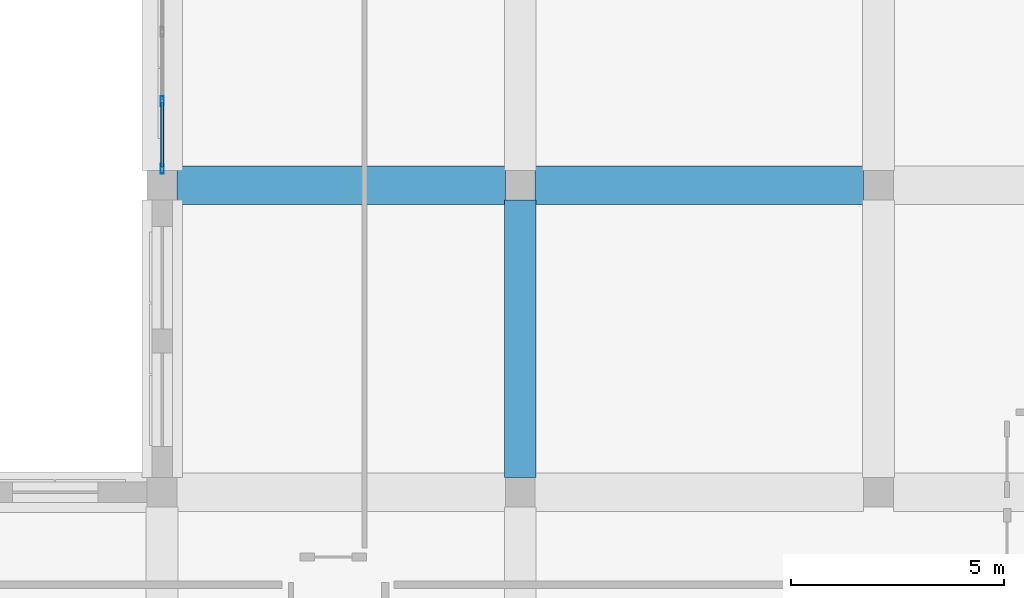
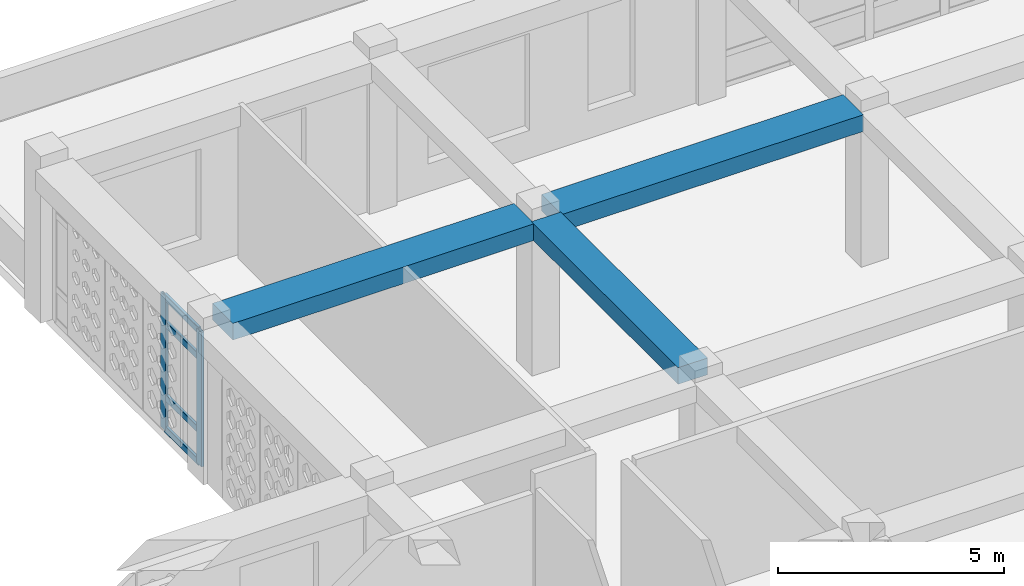
# One storey, part 29 of 100: 6 members, 3 beams, 1 element without a shape of its own.
"""IFC4 building model written with IfcOpenShell, lengths in metres."""

import ifcopenshell
import ifcopenshell.guid

model = None  # the IFC model being written
_history = None  # IfcOwnerHistory: only IFC2X3 demands one
_inside = {}  # id of a spatial element -> (the spatial element, [elements in it])
_under = {}  # id of a project, library or spatial element -> (it, [spatial elements below it])
_declared = {}  # id of a project -> (the project, [libraries it declares])
_typed = {}  # id of a type object -> (the type object, [elements of that type])
_made_of = {}  # id of a material, layer set ... -> (it, [elements and type objects made of it])


def new_model(schema):
    """Start an empty IFC model of exactly this schema.

    Asked for "IFC4X3", IfcOpenShell would pick the latest addendum, in which some entities
    have other attributes; the version numbers below select the first issue.
    IFC2X3 requires an IfcOwnerHistory on every rooted entity: one is made here for all.
    """
    global model, _history
    if schema == "IFC4X3":
        model = ifcopenshell.file(schema_version=(4, 3, 0, 0))
    else:
        model = ifcopenshell.file(schema=schema)
    _inside.clear()
    _under.clear()
    _declared.clear()
    _typed.clear()
    _made_of.clear()
    _history = None
    if model.schema == "IFC2X3":
        org = make("IfcOrganization", Name="unknown")
        user = make(
            "IfcPersonAndOrganization",
            ThePerson=make("IfcPerson", FamilyName="unknown"),
            TheOrganization=org,
        )
        app = make(
            "IfcApplication",
            ApplicationDeveloper=org,
            Version="unknown",
            ApplicationFullName="unknown",
            ApplicationIdentifier="unknown",
        )
        _history = make(
            "IfcOwnerHistory",
            OwningUser=user,
            OwningApplication=app,
            ChangeAction="ADDED",
            CreationDate=0,
        )
    return model


def make(cls, **values):
    """One entity of the class cls with the attributes given. An attribute that is None is left unset."""
    return model.create_entity(
        cls, **{name: value for name, value in values.items() if value is not None}
    )


def rooted(cls, **values):
    """An entity with a GlobalId (a new one), such as an element, a storey or a relation."""
    return make(cls, GlobalId=ifcopenshell.guid.new(), OwnerHistory=_history, **values)


def si_unit(unit_type, name, prefix=None):
    """IfcSIUnit, for example si_unit("LENGTHUNIT", "METRE", prefix="MILLI")."""
    return make("IfcSIUnit", UnitType=unit_type, Prefix=prefix, Name=name)


def derived_unit(unit_type, elements):
    """IfcDerivedUnit: a product of units, each with its exponent."""
    return make(
        "IfcDerivedUnit",
        Elements=[
            make("IfcDerivedUnitElement", Unit=unit, Exponent=power)
            for unit, power in elements
        ],
        UnitType=unit_type,
    )


def assignment(units):
    """IfcUnitAssignment: the units of a project."""
    return None if units is None else make("IfcUnitAssignment", Units=units)


def point(xyz):
    """IfcCartesianPoint."""
    return None if xyz is None else make("IfcCartesianPoint", Coordinates=xyz)


def direction(xyz):
    """IfcDirection."""
    return None if xyz is None else make("IfcDirection", DirectionRatios=xyz)


def frame(location, z_axis=None, x_axis=None):
    """IfcAxis2Placement3D, a coordinate frame: its origin and axes. An axis left out is left unset."""
    return make(
        "IfcAxis2Placement3D",
        Location=point(location),
        Axis=direction(z_axis),
        RefDirection=direction(x_axis),
    )


def frame_2d(location, x_axis=None):
    """IfcAxis2Placement2D, a coordinate frame in the plane: its origin and x axis."""
    return make(
        "IfcAxis2Placement2D", Location=point(location), RefDirection=direction(x_axis)
    )


def origin():
    """The frame at (0, 0, 0) with its axes left unset."""
    return frame((0.0, 0.0, 0.0))


def origin_2d():
    """The frame at (0, 0) in the plane with its x axis left unset."""
    return frame_2d((0.0, 0.0))


def place(relative_to, where):
    """IfcLocalPlacement: puts the frame where relative to a parent placement (None: the world)."""
    return make(
        "IfcLocalPlacement", PlacementRelTo=relative_to, RelativePlacement=where
    )


def context(
    kind, dimensions, precision=None, world=None, true_north=None, identifier=None
):
    """IfcGeometricRepresentationContext, for example the 3D "Model" context."""
    return make(
        "IfcGeometricRepresentationContext",
        ContextIdentifier=identifier,
        ContextType=kind,
        CoordinateSpaceDimension=dimensions,
        Precision=precision,
        WorldCoordinateSystem=world,
        TrueNorth=true_north,
    )


def subcontext(parent, identifier, kind, view, scale=None):
    """IfcGeometricRepresentationSubContext, for example "Body" below "Model"."""
    return make(
        "IfcGeometricRepresentationSubContext",
        ContextIdentifier=identifier,
        ContextType=kind,
        ParentContext=parent,
        TargetScale=scale,
        TargetView=view,
    )


def project(units=None, contexts=None):
    """IfcProject with its units and contexts."""
    return rooted(
        "IfcProject",
        Name="project",
        RepresentationContexts=contexts,
        UnitsInContext=assignment(units),
    )


def spatial(cls, under=None, at=None, **own):
    """A site, building, storey or space (cls), placed at a placement, below another one or the project."""
    s = rooted(cls, ObjectPlacement=at, **own)
    if under is not None:
        _under.setdefault(under.id(), (under, []))[1].append(s)
    return s


def profile(cls, at=None, kind="AREA", **sizes):
    """A parametric profile (cls). Its sizes go by their IFC names, for example OverallWidth=200.0."""
    return make(cls, ProfileType=kind, Position=at, **sizes)


def rectangle(**sizes):
    """IfcRectangleProfileDef."""
    return profile("IfcRectangleProfileDef", **sizes)


def hollow_rectangle(**sizes):
    """IfcRectangleHollowProfileDef."""
    return profile("IfcRectangleHollowProfileDef", **sizes)


def extrude(swept, where, along, depth):
    """IfcExtrudedAreaSolid: the profile swept, set in the frame where, extruded along a direction by depth."""
    return make(
        "IfcExtrudedAreaSolid",
        SweptArea=swept,
        Position=where,
        ExtrudedDirection=direction(along),
        Depth=depth,
    )


def shape(context_of_items, identifier, shape_type, items):
    """IfcShapeRepresentation: the items that make up one representation, for example the "Body"."""
    return make(
        "IfcShapeRepresentation",
        ContextOfItems=context_of_items,
        RepresentationIdentifier=identifier,
        RepresentationType=shape_type,
        Items=items,
    )


def material(Name=None, Category=None):
    """IfcMaterial."""
    return make("IfcMaterial", Name=Name, Category=Category)


def material_profile(
    of_material, cross_section, Name=None, Category=None, Priority=None
):
    """IfcMaterialProfile: a cross section and its material."""
    return make(
        "IfcMaterialProfile",
        Name=Name,
        Material=of_material,
        Profile=cross_section,
        Priority=Priority,
        Category=Category,
    )


def profile_set(profiles, Name=None, composite=None):
    """IfcMaterialProfileSet."""
    return make(
        "IfcMaterialProfileSet",
        Name=Name,
        MaterialProfiles=profiles,
        CompositeProfile=composite,
    )


def made_of(thing, what):
    """Note that an element or type object is made of a material, layer set ...; save() writes the relation."""
    if what is not None:
        _made_of.setdefault(what.id(), (what, []))[1].append(thing)
    return thing


def type_object(cls, material=None, **own):
    """A type object (cls), such as IfcWallType, which elements share."""
    return made_of(rooted(cls, **own), material)


def element(
    cls,
    number,
    at=None,
    inside=None,
    cuts=None,
    type_object=None,
    material=None,
    context=None,
    identifier="Body",
    shape_type=None,
    held_by="IfcProductDefinitionShape",
    body=None,
    shapes=None,
    **own,
):
    """One element of the class cls, such as IfcWall. Its Tag is "e" and its number.

    at: its placement. inside: the storey or other place that contains it. cuts: it is an
    opening in that element (IfcRelVoidsElement). A single representation is given by context,
    identifier, shape_type and body (its items); several are given by shapes. held_by: the class
    of the entity that holds the representations. save() writes the other relations.
    """
    e = rooted(cls, Tag="e%d" % number, ObjectPlacement=at, **own)
    if body is not None:
        shapes = [shape(context, identifier, shape_type, body)]
    if shapes is not None:
        e.Representation = make(held_by, Representations=shapes)
    if inside is not None:
        _inside.setdefault(inside.id(), (inside, []))[1].append(e)
    if cuts is not None:
        rooted(
            "IfcRelVoidsElement", RelatingBuildingElement=cuts, RelatedOpeningElement=e
        )
    if type_object is not None:
        _typed.setdefault(type_object.id(), (type_object, []))[1].append(e)
    return made_of(e, material)


def aggregate(whole, parts):
    """IfcRelAggregates: a whole, such as a stair, and the parts it consists of."""
    return rooted("IfcRelAggregates", RelatingObject=whole, RelatedObjects=parts)


def save(model, path):
    """Write the relations noted so far, then the file.

    IfcRelAggregates (storeys below a building ...), IfcRelContainedInSpatialStructure (elements
    in a storey), IfcRelDefinesByType, IfcRelAssociatesMaterial and IfcRelDeclares: one each for
    every whole, place, type object, material and project.
    """
    for whole, parts in _under.values():
        aggregate(whole, parts)
    for where, things in _inside.values():
        rooted(
            "IfcRelContainedInSpatialStructure",
            RelatedElements=things,
            RelatingStructure=where,
        )
    for kind, things in _typed.values():
        rooted("IfcRelDefinesByType", RelatedObjects=things, RelatingType=kind)
    for what, things in _made_of.values():
        rooted("IfcRelAssociatesMaterial", RelatedObjects=things, RelatingMaterial=what)
    for by, libraries in _declared.values():
        rooted("IfcRelDeclares", RelatingContext=by, RelatedDefinitions=libraries)
    model.write(path)


model = new_model("IFC4")

# Units and contexts
model_context = context("Model", 3, precision=1e-05, world=origin(), true_north=direction((0.0, 1.0)))
body_context = subcontext(model_context, "Body", "Model", "MODEL_VIEW")
ifc_project = project(units=[si_unit("LENGTHUNIT", "METRE"), si_unit("AREAUNIT", "SQUARE_METRE"), si_unit("VOLUMEUNIT", "CUBIC_METRE"), si_unit("PLANEANGLEUNIT", "RADIAN"), si_unit("MASSUNIT", "GRAM", prefix="KILO"), derived_unit("THERMALTRANSMITTANCEUNIT", [(si_unit("POWERUNIT", "WATT"), 1), (si_unit("LENGTHUNIT", "METRE"), -2), (si_unit("THERMODYNAMICTEMPERATUREUNIT", "KELVIN"), -1)])], contexts=[model_context])

# Site, building, storey
site_placement = place(None, origin())
site = spatial("IfcSite", under=ifc_project, at=site_placement, CompositionType="ELEMENT")
building_placement = place(site_placement, origin())
building = spatial("IfcBuilding", under=site, at=building_placement, Name="Veybourne Emporium", CompositionType="ELEMENT")
storey_placement = place(building_placement, frame((0.0, 0.0, 14.39990234375)))
storey = spatial("IfcBuildingStorey", under=building, at=storey_placement, Name="L03", CompositionType="ELEMENT", Elevation=14.39990234375)

# Curtain wall, members
ifc_material_1 = material(Name="Patinated Architectural Bronze", Category="bronze")
curtain_wall_type = type_object("IfcCurtainWallType", Name="CWSystem_CWS-14", PredefinedType="NOTDEFINED", material=ifc_material_1)
curtain_wall_placement = place(storey_placement, origin())
curtain_wall = element("IfcCurtainWall", 1, at=curtain_wall_placement, inside=storey, type_object=curtain_wall_type, Name="L03 bronze glazed curtain wall CWS-14 (024)", PredefinedType="NOTDEFINED")
ifc_material_profile_1 = material_profile(ifc_material_1, hollow_rectangle(XDim=0.074951171875, YDim=0.22998046875, WallThickness=0.0048828125, InnerFilletRadius=0.007568359375, OuterFilletRadius=0.012451171875, at=origin_2d()), Name="CWM 75x230x5")
ifc_profile_set_1 = profile_set([ifc_material_profile_1], Name="Patinated Architectural Bronze")
member_type_1 = type_object("IfcMemberType", Name="CWMullion_CW-M2", PredefinedType="MULLION", material=ifc_profile_set_1)
member_1_placement = place(storey_placement, frame((33.60009765625, 93.987548828125, 0.0), z_axis=(0.0, 0.0, 1.0), x_axis=(-1.0, 0.0, 0.0)))
member_1 = element("IfcMember", 2, at=member_1_placement, type_object=member_type_1, Name="CWS-14 mullion 1", PredefinedType="MULLION", context=body_context, shape_type="SweptSolid", body=[
    extrude(hollow_rectangle(XDim=0.074951171875, YDim=0.22998046875, WallThickness=0.0048828125, InnerFilletRadius=0.007568359375, OuterFilletRadius=0.012451171875, at=origin_2d()), origin(), (0.0, 0.0, 1.0), 3.630126953125),
])
member_2_placement = place(storey_placement, frame((33.60009765625, 95.574951171875, 0.0), z_axis=(0.0, 0.0, 1.0), x_axis=(-1.0, 0.0, 0.0)))
member_2 = element("IfcMember", 3, at=member_2_placement, type_object=member_type_1, Name="CWS-14 mullion 2", PredefinedType="MULLION", context=body_context, shape_type="SweptSolid", body=[
    extrude(hollow_rectangle(XDim=0.074951171875, YDim=0.22998046875, WallThickness=0.0048828125, InnerFilletRadius=0.007568359375, OuterFilletRadius=0.012451171875, at=origin_2d()), origin(), (0.0, 0.0, 1.0), 3.630126953125),
])
ifc_material_profile_2 = material_profile(ifc_material_1, hollow_rectangle(XDim=0.074951171875, YDim=0.179931640625, WallThickness=0.0048828125, InnerFilletRadius=0.007568359375, OuterFilletRadius=0.012451171875, at=origin_2d()), Name="CWT 75x180x5")
ifc_profile_set_2 = profile_set([ifc_material_profile_2], Name="Patinated Architectural Bronze")
member_type_2 = type_object("IfcMemberType", Name="CWTransom_CW-T2", PredefinedType="NOTDEFINED", material=ifc_profile_set_2)
member_3_placement = place(storey_placement, frame((33.60009765625, 94.02490234375, 0.03759765625), z_axis=(0.0, 1.0, 0.0), x_axis=(-1.0, 0.0, 0.0)))
member_3 = element("IfcMember", 4, at=member_3_placement, type_object=member_type_2, Name="CWS-14 transom 1.1", ObjectType="TRANSOM", PredefinedType="USERDEFINED", context=body_context, shape_type="SweptSolid", body=[
    extrude(hollow_rectangle(XDim=0.074951171875, YDim=0.179931640625, WallThickness=0.0048828125, InnerFilletRadius=0.007568359375, OuterFilletRadius=0.012451171875, at=origin_2d()), origin(), (0.0, 0.0, 1.0), 1.5126953125),
])
member_4_placement = place(storey_placement, frame((33.60009765625, 94.02490234375, 0.900146484375), z_axis=(0.0, 1.0, 0.0), x_axis=(-1.0, 0.0, 0.0)))
member_4 = element("IfcMember", 5, at=member_4_placement, type_object=member_type_2, Name="CWS-14 transom 1.2", ObjectType="TRANSOM", PredefinedType="USERDEFINED", context=body_context, shape_type="SweptSolid", body=[
    extrude(hollow_rectangle(XDim=0.074951171875, YDim=0.179931640625, WallThickness=0.0048828125, InnerFilletRadius=0.007568359375, OuterFilletRadius=0.012451171875, at=origin_2d()), origin(), (0.0, 0.0, 1.0), 1.5126953125),
])
member_5_placement = place(storey_placement, frame((33.60009765625, 94.02490234375, 2.880126953125), z_axis=(0.0, 1.0, 0.0), x_axis=(-1.0, 0.0, 0.0)))
member_5 = element("IfcMember", 6, at=member_5_placement, type_object=member_type_2, Name="CWS-14 transom 1.3", ObjectType="TRANSOM", PredefinedType="USERDEFINED", context=body_context, shape_type="SweptSolid", body=[
    extrude(hollow_rectangle(XDim=0.074951171875, YDim=0.179931640625, WallThickness=0.0048828125, InnerFilletRadius=0.007568359375, OuterFilletRadius=0.012451171875, at=origin_2d()), origin(), (0.0, 0.0, 1.0), 1.5126953125),
])
member_6_placement = place(storey_placement, frame((33.60009765625, 94.02490234375, 3.592529296875), z_axis=(0.0, 1.0, 0.0), x_axis=(-1.0, 0.0, 0.0)))
member_6 = element("IfcMember", 7, at=member_6_placement, type_object=member_type_2, Name="CWS-14 transom 1.4", ObjectType="TRANSOM", PredefinedType="USERDEFINED", context=body_context, shape_type="SweptSolid", body=[
    extrude(hollow_rectangle(XDim=0.074951171875, YDim=0.179931640625, WallThickness=0.0048828125, InnerFilletRadius=0.007568359375, OuterFilletRadius=0.012451171875, at=origin_2d()), origin(), (0.0, 0.0, 1.0), 1.5126953125),
])
aggregate(curtain_wall, [member_1, member_2, member_3, member_4, member_5, member_6])

# Beams
ifc_material_2 = material(Name="Concrete C32/40", Category="concrete")
ifc_material_profile_3 = material_profile(ifc_material_2, rectangle(XDim=0.89990234375, YDim=0.449951171875, at=origin_2d()), Name="RC 900x450")
ifc_profile_set_3 = profile_set([ifc_material_profile_3], Name="Concrete C32/40")
beam_type_1 = type_object("IfcBeamType", Name="RCBeam_BB-03", PredefinedType="BEAM", material=ifc_profile_set_3)
for number, where, z_axis, x_axis, name in (
    (8, (33.949951171875, 93.60009765625, 3.955078125), (1.0, 0.0, 0.0), (0.0, 1.0, 0.0), "L03 X-grid beam BB-03 (4,13)"),
    (9, (42.35009765625, 93.60009765625, 3.955078125), (1.0, 0.0, 0.0), (0.0, 1.0, 0.0), "L03 X-grid beam BB-03 (5,13)"),
):
    element("IfcBeam", number, at=place(storey_placement, frame(where, z_axis=z_axis, x_axis=x_axis)), inside=storey, type_object=beam_type_1, Name=name, PredefinedType="BEAM", context=body_context, shape_type="SweptSolid", body=[
        extrude(rectangle(XDim=0.89990234375, YDim=0.449951171875, at=origin_2d()), origin(), (0.0, 0.0, 1.0), 7.699951171875),
    ])
ifc_material_profile_4 = material_profile(ifc_material_2, rectangle(XDim=0.75, YDim=0.449951171875, at=origin_2d()), Name="RC 750x450")
ifc_profile_set_4 = profile_set([ifc_material_profile_4], Name="Concrete C32/40")
beam_type_2 = type_object("IfcBeamType", Name="RCBeam_BB-04", PredefinedType="BEAM", material=ifc_profile_set_4)
beam_placement = place(storey_placement, frame((42.0, 86.75, 3.955078125), z_axis=(0.0, 1.0, 0.0), x_axis=(-1.0, 0.0, 0.0)))
element("IfcBeam", 10, at=beam_placement, inside=storey, type_object=beam_type_2, Name="L03 Y-grid beam BB-04 (5,12)", PredefinedType="BEAM", context=body_context, shape_type="SweptSolid", body=[
    extrude(rectangle(XDim=0.75, YDim=0.449951171875, at=origin_2d()), origin(), (0.0, 0.0, 1.0), 6.5),
])

save(model, "model.ifc")
